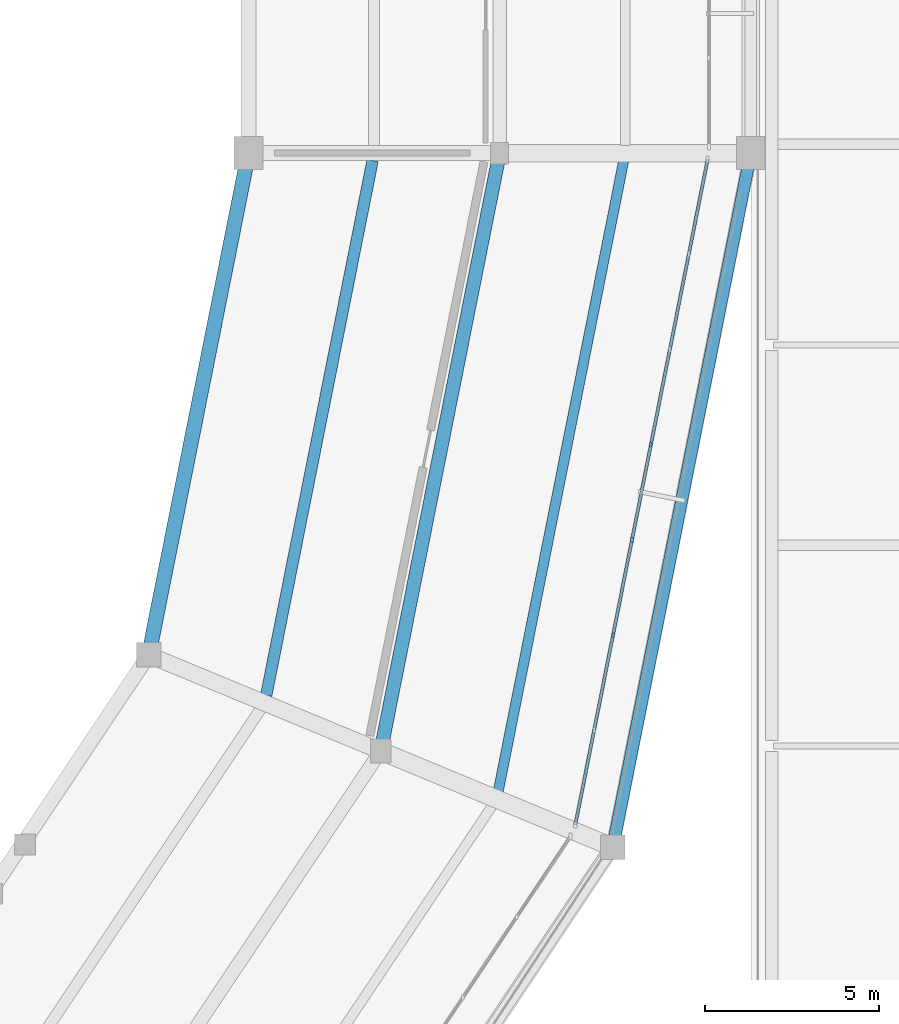
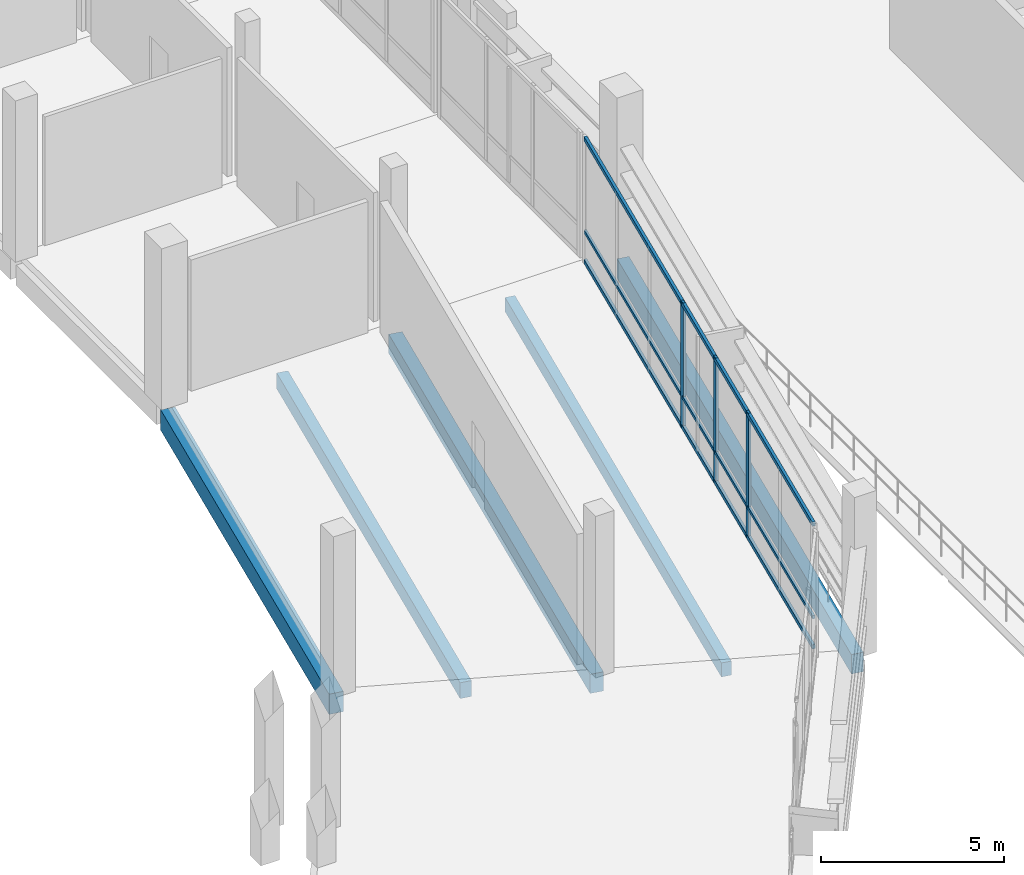
# One storey, part 38 of 111: 6 members, 5 beams, 1 element without a shape of its own.
"""IFC4 building model written with IfcOpenShell, lengths in metres."""

from ifc_helpers import new_model, si_unit, direction, frame, origin, origin_2d, place, context, subcontext, project, spatial, rectangle, extrude, material, material_profile, profile_set, type_object, element, aggregate, save


model = new_model("IFC4")

# Units and contexts
model_context = context("Model", 3, precision=1e-05, world=origin(), true_north=direction((0.0, 1.0)))
body_context = subcontext(model_context, "Body", "Model", "MODEL_VIEW")
ifc_project = project(units=[si_unit("LENGTHUNIT", "METRE"), si_unit("AREAUNIT", "SQUARE_METRE"), si_unit("VOLUMEUNIT", "CUBIC_METRE"), si_unit("PLANEANGLEUNIT", "RADIAN"), si_unit("MASSUNIT", "GRAM", prefix="KILO")], contexts=[model_context])

# Site, building, storey
site_placement = place(None, origin())
site = spatial("IfcSite", under=ifc_project, at=site_placement, CompositionType="ELEMENT")
building_placement = place(site_placement, origin())
building = spatial("IfcBuilding", under=site, at=building_placement, Name="Candeia Ridge Stadium", CompositionType="ELEMENT")
storey_placement = place(building_placement, frame((0.0, 0.0, 16.199951171875)))
storey = spatial("IfcBuildingStorey", under=building, at=storey_placement, Name="L03", CompositionType="ELEMENT", Elevation=16.199951171875)

# Curtain wall, members
ifc_material_1 = material(Name="Aluminium Anodized Warm Bronze", Category="aluminium")
curtain_wall_type = type_object("IfcCurtainWallType", Name="Concourse Recessed Unitised Curtain Wall", PredefinedType="NOTDEFINED", material=ifc_material_1)
curtain_wall_placement = place(storey_placement, origin())
curtain_wall = element("IfcCurtainWall", 1, at=curtain_wall_placement, inside=storey, type_object=curtain_wall_type, Name="Unitised curtain wall CW-BWL-L03-28", PredefinedType="NOTDEFINED")
ifc_material_profile_1 = material_profile(ifc_material_1, rectangle(XDim=0.074951171875, YDim=0.14990234375, at=origin_2d()), Name="CWM-75x150", Category="aluminium")
ifc_profile_set_1 = profile_set([ifc_material_profile_1], Name="Aluminium Anodized Warm Bronze")
member_type_1 = type_object("IfcMemberType", Name="Curtain Wall Secondary Mullion 75x150", PredefinedType="MULLION", material=ifc_profile_set_1)
member_1_placement = place(storey_placement, frame((189.052978515625, 57.189697265625, 0.0), z_axis=(0.0, 0.0, 1.0), x_axis=(1.0, 0.0, 0.0)))
member_1 = element("IfcMember", 2, at=member_1_placement, type_object=member_type_1, Name="Curtain wall mullion CW-BWL-L03-28-M2", PredefinedType="MULLION", context=body_context, shape_type="SweptSolid", body=[
    extrude(rectangle(XDim=0.074951171875, YDim=0.14990234375, at=origin_2d()), origin(), (0.0, 0.0, 1.0), 4.2451171875),
])
member_2_placement = place(storey_placement, frame((189.595458984375, 59.91650390625, 0.0), z_axis=(0.0, 0.0, 1.0), x_axis=(1.0, 0.0, 0.0)))
member_2 = element("IfcMember", 3, at=member_2_placement, type_object=member_type_1, Name="Curtain wall mullion CW-BWL-L03-28-M3", PredefinedType="MULLION", context=body_context, shape_type="SweptSolid", body=[
    extrude(rectangle(XDim=0.074951171875, YDim=0.14990234375, at=origin_2d()), origin(), (0.0, 0.0, 1.0), 4.2451171875),
])
member_3_placement = place(storey_placement, frame((190.1376953125, 62.643310546875, 0.0), z_axis=(0.0, 0.0, 1.0), x_axis=(1.0, 0.0, 0.0)))
member_3 = element("IfcMember", 4, at=member_3_placement, type_object=member_type_1, Name="Curtain wall mullion CW-BWL-L03-28-M4", PredefinedType="MULLION", context=body_context, shape_type="SweptSolid", body=[
    extrude(rectangle(XDim=0.074951171875, YDim=0.14990234375, at=origin_2d()), origin(), (0.0, 0.0, 1.0), 4.2451171875),
])
ifc_material_profile_2 = material_profile(ifc_material_1, rectangle(XDim=0.074951171875, YDim=0.110107421875, at=origin_2d()), Name="CWT-75x110", Category="aluminium")
ifc_profile_set_2 = profile_set([ifc_material_profile_2], Name="Aluminium Anodized Warm Bronze")
member_type_2 = type_object("IfcMemberType", Name="Curtain Wall Secondary Transom 75x110", PredefinedType="USERDEFINED", material=ifc_profile_set_2)
member_4_placement = place(storey_placement, frame((187.96826171875, 51.736083984375, 1.061279296875), z_axis=(0.195085896803, 0.980786160623, 0.0), x_axis=(-0.980786160623, 0.195085896803, 0.0)))
member_4 = element("IfcMember", 5, at=member_4_placement, type_object=member_type_2, Name="Curtain wall transom CW-BWL-L03-28-T1", ObjectType="TRANSOM", PredefinedType="USERDEFINED", context=body_context, shape_type="SweptSolid", body=[
    extrude(rectangle(XDim=0.074951171875, YDim=0.110107421875, at=origin_2d()), origin(), (0.0, 0.0, 1.0), 19.46142578125),
])
ifc_material_profile_3 = material_profile(ifc_material_1, rectangle(XDim=0.090087890625, YDim=0.139892578125, at=origin_2d()), Name="CWT-90x140", Category="aluminium")
ifc_profile_set_3 = profile_set([ifc_material_profile_3], Name="Aluminium Anodized Warm Bronze")
member_type_3 = type_object("IfcMemberType", Name="Curtain Wall Transom 90x140", PredefinedType="USERDEFINED", material=ifc_profile_set_3)
member_5_placement = place(storey_placement, frame((187.96826171875, 51.736083984375, 0.070068359375), z_axis=(0.195085896803, 0.980786160623, 0.0), x_axis=(-0.980786160623, 0.195085896803, 0.0)))
member_5 = element("IfcMember", 6, at=member_5_placement, type_object=member_type_3, Name="Curtain wall transom CW-BWL-L03-28-T0", ObjectType="TRANSOM", PredefinedType="USERDEFINED", context=body_context, shape_type="SweptSolid", body=[
    extrude(rectangle(XDim=0.090087890625, YDim=0.139892578125, at=origin_2d()), origin(), (0.0, 0.0, 1.0), 19.46142578125),
])
member_6_placement = place(storey_placement, frame((187.96826171875, 51.736083984375, 4.175048828125), z_axis=(0.195085896803, 0.980786160623, 0.0), x_axis=(-0.980786160623, 0.195085896803, 0.0)))
member_6 = element("IfcMember", 7, at=member_6_placement, type_object=member_type_3, Name="Curtain wall transom CW-BWL-L03-28-T2", ObjectType="TRANSOM", PredefinedType="USERDEFINED", context=body_context, shape_type="SweptSolid", body=[
    extrude(rectangle(XDim=0.090087890625, YDim=0.139892578125, at=origin_2d()), origin(), (0.0, 0.0, 1.0), 19.46142578125),
])
aggregate(curtain_wall, [member_1, member_2, member_3, member_5, member_4, member_6])

# Beams
ifc_material_2 = material(Name="Concrete C40/50", Category="concrete")
ifc_material_profile_4 = material_profile(ifc_material_2, rectangle(XDim=0.2900390625, YDim=0.469970703125, at=origin_2d()), Name="RC290x470", Category="concrete")
ifc_profile_set_4 = profile_set([ifc_material_profile_4], Name="Concrete C40/50")
beam_type_1 = type_object("IfcBeamType", Name="Floor Joist RC290x470", PredefinedType="JOIST", material=ifc_profile_set_4)
beam_1_placement = place(storey_placement, frame((185.759033203125, 52.69580078125, -0.48486328125), z_axis=(0.195092537954, 0.980784839623, 0.0), x_axis=(-0.980784839623, 0.195092537954, 0.0)))
element("IfcBeam", 8, at=beam_1_placement, inside=storey, type_object=beam_type_1, Name="Concourse secondary joist BM-L03-0686", PredefinedType="JOIST", context=body_context, shape_type="SweptSolid", body=[
    extrude(rectangle(XDim=0.2900390625, YDim=0.469970703125, at=origin_2d()), origin(), (0.0, 0.0, 1.0), 18.440673828125),
])
ifc_material_profile_5 = material_profile(ifc_material_2, rectangle(XDim=0.330078125, YDim=0.530029296875, at=origin_2d()), Name="RC330x530", Category="concrete")
ifc_profile_set_5 = profile_set([ifc_material_profile_5], Name="Concrete C40/50")
beam_type_2 = type_object("IfcBeamType", Name="Floor Joist RC330x530", PredefinedType="JOIST", material=ifc_profile_set_5)
beam_2_placement = place(storey_placement, frame((179.107177734375, 55.451171875, -0.514892578125), z_axis=(0.195091809076, 0.980784984607, 0.0), x_axis=(-0.980784984607, 0.195091809076, 0.0)))
element("IfcBeam", 9, at=beam_2_placement, inside=storey, type_object=beam_type_2, Name="Concourse secondary joist BM-L03-0685", PredefinedType="JOIST", context=body_context, shape_type="SweptSolid", body=[
    extrude(rectangle(XDim=0.330078125, YDim=0.530029296875, at=origin_2d()), origin(), (0.0, 0.0, 1.0), 15.63134765625),
])
ifc_material_profile_6 = material_profile(ifc_material_2, rectangle(XDim=0.389892578125, YDim=0.639892578125, at=origin_2d()), Name="RC390x640", Category="concrete")
ifc_profile_set_6 = profile_set([ifc_material_profile_6], Name="Concrete C40/50")
beam_type_3 = type_object("IfcBeamType", Name="Frame Girder RC390x640", PredefinedType="BEAM", material=ifc_profile_set_6)
beam_3_placement = place(storey_placement, frame((182.4208984375, 54.0126953125, -0.570068359375), z_axis=(0.195098234154, 0.980783706548, 0.0), x_axis=(-0.980783706548, 0.195098234154, 0.0)))
element("IfcBeam", 10, at=beam_3_placement, inside=storey, type_object=beam_type_3, Name="Concourse spine girder BM-L03-0683", PredefinedType="BEAM", context=body_context, shape_type="SweptSolid", body=[
    extrude(rectangle(XDim=0.389892578125, YDim=0.639892578125, at=origin_2d()), origin(), (0.0, 0.0, 1.0), 17.16015625),
])
ifc_material_profile_7 = material_profile(ifc_material_2, rectangle(XDim=0.419921875, YDim=0.679931640625, at=origin_2d()), Name="RC420x680", Category="concrete")
ifc_profile_set_7 = profile_set([ifc_material_profile_7], Name="Concrete C40/50")
beam_type_4 = type_object("IfcBeamType", Name="Frame Girder RC420x680", PredefinedType="BEAM", material=ifc_profile_set_7)
beam_4_placement = place(storey_placement, frame((175.76904296875, 56.76806640625, -0.58984375), z_axis=(0.195098555341, 0.980783642657, 0.0), x_axis=(-0.980783642657, 0.195098555341, 0.0)))
element("IfcBeam", 11, at=beam_4_placement, inside=storey, type_object=beam_type_4, Name="Bowl inner ring girder BM-L03-0682", PredefinedType="BEAM", context=body_context, shape_type="SweptSolid", body=[
    extrude(rectangle(XDim=0.419921875, YDim=0.679931640625, at=origin_2d()), origin(), (0.0, 0.0, 1.0), 14.350830078125),
])
ifc_material_profile_8 = material_profile(ifc_material_2, rectangle(XDim=0.35009765625, YDim=0.64990234375, at=origin_2d()), Name="RC350x650", Category="concrete")
ifc_profile_set_8 = profile_set([ifc_material_profile_8], Name="Concrete C40/50")
beam_type_5 = type_object("IfcBeamType", Name="Spandrel Beam RC350x650", PredefinedType="SPANDREL", material=ifc_profile_set_8)
beam_5_placement = place(storey_placement, frame((189.072998046875, 51.25732421875, -0.574951171875), z_axis=(0.195086242929, 0.980786091775, 0.0), x_axis=(-0.980786091775, 0.195086242929, 0.0)))
element("IfcBeam", 12, at=beam_5_placement, inside=storey, type_object=beam_type_5, Name="Bowl perimeter spandrel BM-L03-0684", PredefinedType="SPANDREL", context=body_context, shape_type="SweptSolid", body=[
    extrude(rectangle(XDim=0.35009765625, YDim=0.64990234375, at=origin_2d()), origin(), (0.0, 0.0, 1.0), 19.969482421875),
])

save(model, "model.ifc")
